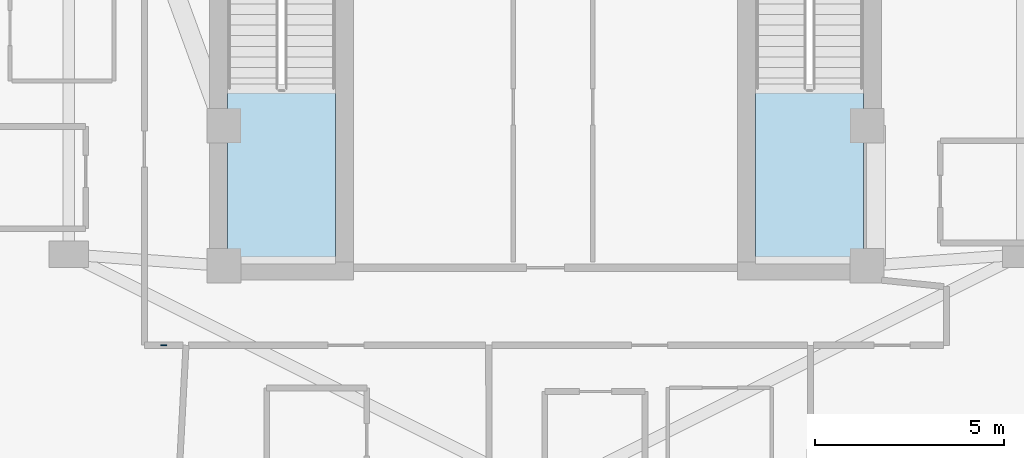
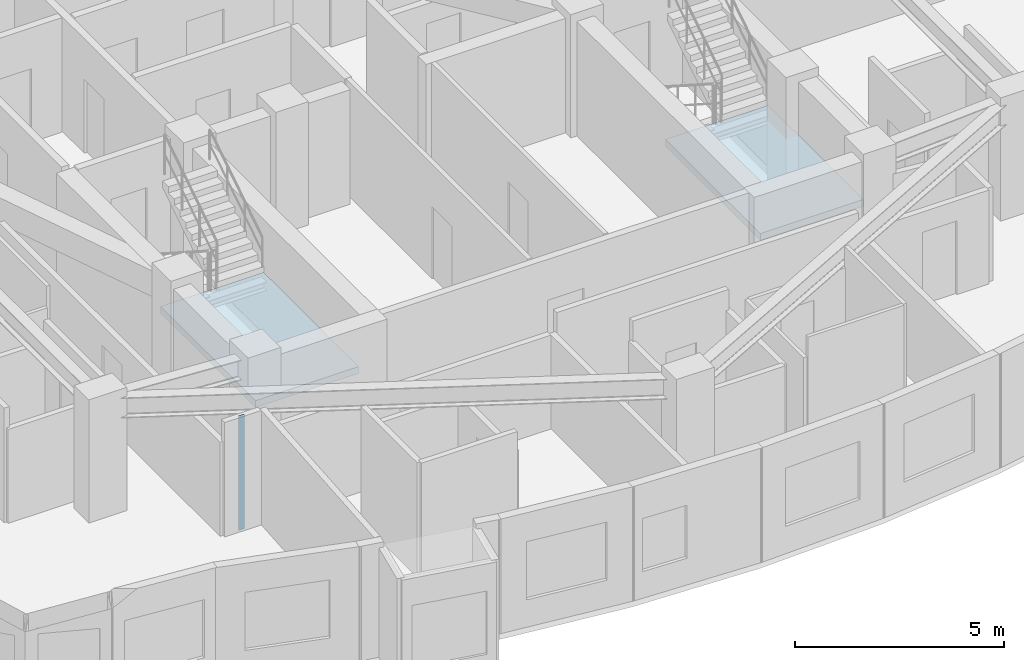
# One storey, part 2 of 10: 2 slabs, 1 plate, 2 elements without a shape of their own.
"""IFC4 building model written with IfcOpenShell, lengths in metres."""

from ifc_helpers import new_model, si_unit, direction, frame, origin, origin_2d, place, context, subcontext, project, spatial, polyline, rectangle, outline, extrude, material, layer, layer_set, type_object, element, aggregate, save


model = new_model("IFC4")

# Units and contexts
model_context = context("Model", 3, precision=1e-05, world=origin(), true_north=direction((0.0, 1.0)))
body_context = subcontext(model_context, "Body", "Model", "MODEL_VIEW")
ifc_project = project(units=[si_unit("LENGTHUNIT", "METRE"), si_unit("AREAUNIT", "SQUARE_METRE"), si_unit("VOLUMEUNIT", "CUBIC_METRE"), si_unit("PLANEANGLEUNIT", "RADIAN"), si_unit("MASSUNIT", "GRAM", prefix="KILO")], contexts=[model_context])

# Site, building, storey
site_placement = place(None, origin())
site = spatial("IfcSite", under=ifc_project, at=site_placement, CompositionType="ELEMENT")
building_placement = place(site_placement, origin())
building = spatial("IfcBuilding", under=site, at=building_placement, Name="Miruveldt Soraemaru", CompositionType="ELEMENT")
storey_placement = place(building_placement, frame((0.0, 0.0, 230.39990234375)))
storey = spatial("IfcBuildingStorey", under=building, at=storey_placement, Name="L63", CompositionType="ELEMENT", Elevation=230.39990234375)

# Plate
ifc_material_1 = material(Name="Anodised aluminium EN AW-6063 T6", Category="aluminium")
ifc_layer_1 = layer(ifc_material_1, 0.02001953125, Name="Anodised aluminium EN AW-6063 T6", Category="aluminium")
ifc_layer_set_1 = layer_set([ifc_layer_1], Name="Anodised aluminium EN AW-6063 T6")
plate_type = type_object("IfcPlateType", Name="PLT-PART-TRIM", PredefinedType="SHEET", material=ifc_layer_set_1)
plate_placement = place(storey_placement, frame((33.907958984375, 33.39990234375, 0.0), z_axis=(0.0, 0.0, 1.0), x_axis=(1.0, 0.0, 0.0)))
element("IfcPlate", 1, at=plate_placement, inside=storey, type_object=plate_type, Name="L63 Partition Step Corner Trim Plate 006", PredefinedType="SHEET", context=body_context, shape_type="SweptSolid", body=[
    extrude(rectangle(XDim=0.159912109375, YDim=0.02001953125, at=origin_2d()), origin(), (0.0, 0.0, 1.0), 3.344970703125),
])

# Stair, slab
ifc_material_2 = material(Name="Concrete C40/50 (40 MPa)", Category="concrete")
stair_type = type_object("IfcStairType", Name="STAIR-DL-360", PredefinedType="HALF_TURN_STAIR", material=ifc_material_2)
stair_1_placement = place(storey_placement, origin())
stair_1 = element("IfcStair", 2, at=stair_1_placement, inside=storey, type_object=stair_type, Name="L63 Protected Exit Stair ST-1", PredefinedType="HALF_TURN_STAIR")
ifc_layer_2 = layer(ifc_material_2, 0.199951171875, Name="Concrete C40/50 (40 MPa)", Category="concrete")
ifc_layer_set_2 = layer_set([ifc_layer_2], Name="Concrete C40/50 (40 MPa)")
slab_type = type_object("IfcSlabType", Name="SLAB-LAND-200", PredefinedType="LANDING", material=ifc_layer_set_2)
slab_1_placement = place(storey_placement, frame((0.0, 0.0, 1.60009765625)))
slab_1 = element("IfcSlab", 3, at=slab_1_placement, type_object=slab_type, Name="ST-1 landing 1", PredefinedType="LANDING", context=body_context, shape_type="SweptSolid", body=[
    extrude(outline(polyline([(35.60009765625, 40.197998046875), (35.60009765625, 35.64990234375), (38.449951171875, 35.64990234375), (38.449951171875, 40.197998046875), (35.60009765625, 40.197998046875)])), origin(), (0.0, 0.0, 1.0), 0.199951171875),
])
aggregate(stair_1, [slab_1])

stair_2_placement = place(storey_placement, origin())
stair_2 = element("IfcStair", 4, at=stair_2_placement, inside=storey, type_object=stair_type, Name="L63 Protected Exit Stair ST-2", PredefinedType="HALF_TURN_STAIR")
slab_2_placement = place(storey_placement, frame((0.0, 0.0, 1.60009765625)))
slab_2 = element("IfcSlab", 5, at=slab_2_placement, type_object=slab_type, Name="ST-2 landing 1", PredefinedType="LANDING", context=body_context, shape_type="SweptSolid", body=[
    extrude(outline(polyline([(49.550048828125, 40.197998046875), (49.550048828125, 35.64990234375), (52.39990234375, 35.64990234375), (52.39990234375, 40.197998046875), (49.550048828125, 40.197998046875)])), origin(), (0.0, 0.0, 1.0), 0.199951171875),
])
aggregate(stair_2, [slab_2])

save(model, "model.ifc")
